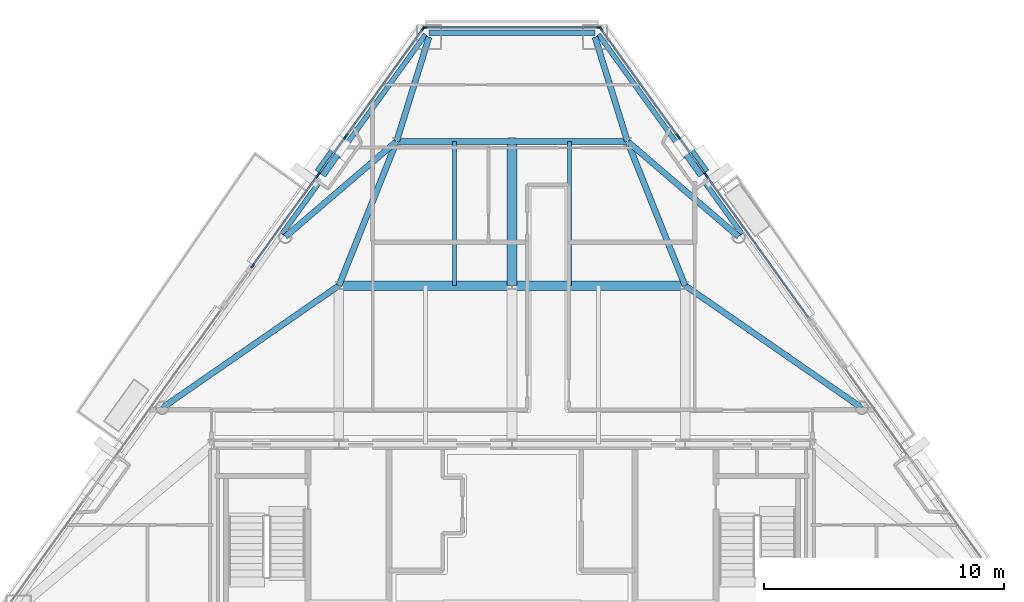
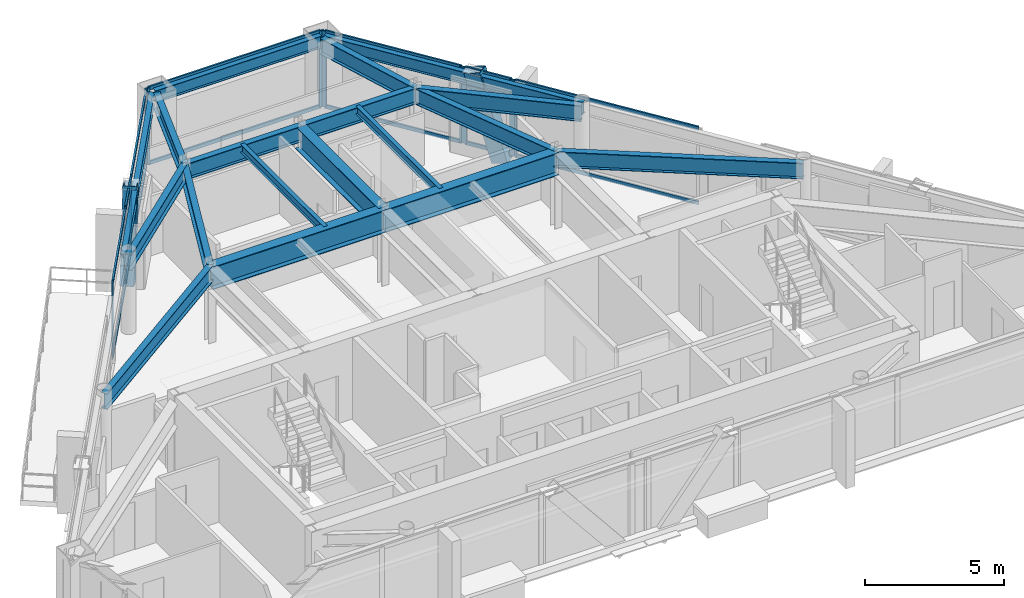
# One storey, part 4 of 12: 29 members, 18 beams, 7 elements without a shape of their own.
"""IFC4 building model written with IfcOpenShell, lengths in metres."""

from ifc_helpers import new_model, si_unit, direction, frame, origin, origin_2d, place, context, subcontext, project, spatial, rectangle, hollow_rectangle, i_section, extrude, material, layer, layer_set, material_profile, profile_set, type_object, element, aggregate, save


model = new_model("IFC4")

# Units and contexts
model_context = context("Model", 3, precision=1e-05, world=origin(), true_north=direction((0.0, 1.0)))
body_context = subcontext(model_context, "Body", "Model", "MODEL_VIEW")
ifc_project = project(units=[si_unit("LENGTHUNIT", "METRE"), si_unit("AREAUNIT", "SQUARE_METRE"), si_unit("VOLUMEUNIT", "CUBIC_METRE"), si_unit("PLANEANGLEUNIT", "RADIAN"), si_unit("MASSUNIT", "GRAM", prefix="KILO")], contexts=[model_context])

# Site, building, storey
site_placement = place(None, origin())
site = spatial("IfcSite", under=ifc_project, at=site_placement, CompositionType="ELEMENT")
building_placement = place(site_placement, origin())
building = spatial("IfcBuilding", under=site, at=building_placement, Name="Talgorran Terracotta Tower", CompositionType="ELEMENT")
storey_placement = place(building_placement, frame((0.0, 0.0, 189.300048828125)))
storey = spatial("IfcBuildingStorey", under=building, at=storey_placement, Name="L49", CompositionType="ELEMENT", Elevation=189.300048828125)

# Beams
ifc_material_1 = material(Name="Steel Grade 350 (350L0)", Category="steel")
ifc_material_profile_1 = material_profile(ifc_material_1, i_section(OverallWidth=0.39990234375, OverallDepth=1.0, WebThickness=0.01611328125, FlangeThickness=0.031005859375, at=origin_2d()), Name="1000WB296")
ifc_profile_set_1 = profile_set([ifc_material_profile_1], Name="Steel Grade 350 (350L0)")
beam_type_1 = type_object("IfcBeamType", Name="BM_1000WB296", PredefinedType="BEAM", material=ifc_profile_set_1)
for number, where, z_axis, x_axis, name in (
    (1, (-7.199951171875, 2.39990234375, 2.849853515625), (1.0, 0.0, 0.0), (0.0, 1.0, 0.0), "L49 Floor Girder G04"),
    (2, (0.0, 2.39990234375, 2.849853515625), (1.0, 0.0, 0.0), (0.0, 1.0, 0.0), "L49 Floor Girder G05"),
):
    element("IfcBeam", number, at=place(storey_placement, frame(where, z_axis=z_axis, x_axis=x_axis)), inside=storey, type_object=beam_type_1, Name=name, PredefinedType="BEAM", context=body_context, shape_type="SweptSolid", body=[
        extrude(i_section(OverallWidth=0.39990234375, OverallDepth=1.0, WebThickness=0.01611328125, FlangeThickness=0.031005859375, at=origin_2d()), origin(), (0.0, 0.0, 1.0), 7.199951171875),
    ])
beam_1_placement = place(storey_placement, frame((0.0, 2.39990234375, 2.849853515625), z_axis=(0.0, 1.0, 0.0), x_axis=(-1.0, 0.0, 0.0)))
element("IfcBeam", 3, at=beam_1_placement, inside=storey, type_object=beam_type_1, Name="L49 Floor Girder G09", PredefinedType="BEAM", context=body_context, shape_type="SweptSolid", body=[
    extrude(i_section(OverallWidth=0.39990234375, OverallDepth=1.0, WebThickness=0.01611328125, FlangeThickness=0.031005859375, at=origin_2d()), origin(), (0.0, 0.0, 1.0), 6.0),
])
ifc_material_2 = material(Name="Steel S355 (300PLUS)", Category="steel")
ifc_material_profile_2 = material_profile(ifc_material_2, i_section(OverallWidth=0.25, OverallDepth=0.699951171875, WebThickness=0.011962890625, FlangeThickness=0.02392578125, at=origin_2d()), Name="700WB150")
ifc_profile_set_2 = profile_set([ifc_material_profile_2], Name="Steel S355 (300PLUS)")
beam_type_2 = type_object("IfcBeamType", Name="BM_700WB150", PredefinedType="BEAM", material=ifc_profile_set_2)
for number, where, z_axis, x_axis, name in (
    (4, (-7.199951171875, 2.39990234375, 3.0), (-0.822270856927, -0.569096334419, 0.0), (0.569096334419, -0.822270856927, 0.0), "L49 Floor Girder G06"),
    (5, (7.199951171875, 2.39990234375, 3.0), (0.822270856927, -0.569096334419, 0.0), (0.569096334419, 0.822270856927, 0.0), "L49 Floor Girder G07"),
):
    element("IfcBeam", number, at=place(storey_placement, frame(where, z_axis=z_axis, x_axis=x_axis)), inside=storey, type_object=beam_type_2, Name=name, PredefinedType="BEAM", context=body_context, shape_type="SweptSolid", body=[
        extrude(i_section(OverallWidth=0.25, OverallDepth=0.699951171875, WebThickness=0.011962890625, FlangeThickness=0.02392578125, at=origin_2d()), origin(), (0.0, 0.0, 1.0), 8.937255859375),
    ])
for number, where, z_axis, x_axis, name in (
    (6, (-7.199951171875, 2.39990234375, 3.0), (0.371377648723, 0.928481901832, 0.0), (-0.928481901832, 0.371377648723, 0.0), "L49 Floor Girder G08"),
    (7, (7.199951171875, 2.39990234375, 3.0), (-0.371377648723, 0.928481901832, 0.0), (-0.928481901832, -0.371377648723, 0.0), "L49 Floor Girder G10"),
):
    element("IfcBeam", number, at=place(storey_placement, frame(where, z_axis=z_axis, x_axis=x_axis)), inside=storey, type_object=beam_type_2, Name=name, PredefinedType="BEAM", context=body_context, shape_type="SweptSolid", body=[
        extrude(i_section(OverallWidth=0.25, OverallDepth=0.699951171875, WebThickness=0.011962890625, FlangeThickness=0.02392578125, at=origin_2d()), origin(), (0.0, 0.0, 1.0), 6.462158203125),
    ])
for number, where, z_axis, x_axis, name in (
    (8, (-4.800048828125, 8.39990234375, 3.0), (1.0, 0.0, 0.0), (0.0, 1.0, 0.0), "L49 Floor Girder G11"),
    (9, (0.0, 8.39990234375, 3.0), (1.0, 0.0, 0.0), (0.0, 1.0, 0.0), "L49 Floor Girder G12"),
):
    element("IfcBeam", number, at=place(storey_placement, frame(where, z_axis=z_axis, x_axis=x_axis)), inside=storey, type_object=beam_type_2, Name=name, PredefinedType="BEAM", context=body_context, shape_type="SweptSolid", body=[
        extrude(i_section(OverallWidth=0.25, OverallDepth=0.699951171875, WebThickness=0.011962890625, FlangeThickness=0.02392578125, at=origin_2d()), origin(), (0.0, 0.0, 1.0), 4.800048828125),
    ])
for number, where, z_axis, x_axis, name in (
    (10, (-4.800048828125, 8.39990234375, 3.0), (-0.75920570373, -0.650850750499, 0.0), (0.650850750499, -0.75920570373, 0.0), "L49 Floor Girder G13"),
    (11, (4.800048828125, 8.39990234375, 3.0), (0.75920570373, -0.650850750499, 0.0), (0.650850750499, 0.75920570373, 0.0), "L49 Floor Girder G14"),
):
    element("IfcBeam", number, at=place(storey_placement, frame(where, z_axis=z_axis, x_axis=x_axis)), inside=storey, type_object=beam_type_2, Name=name, PredefinedType="BEAM", context=body_context, shape_type="SweptSolid", body=[
        extrude(i_section(OverallWidth=0.25, OverallDepth=0.699951171875, WebThickness=0.011962890625, FlangeThickness=0.02392578125, at=origin_2d()), origin(), (0.0, 0.0, 1.0), 6.0947265625),
    ])
for number, where, z_axis, x_axis, name in (
    (12, (-4.800048828125, 8.39990234375, 3.0), (0.296671316766, 0.954979648898, 0.0), (-0.954979648898, 0.296671316766, 0.0), "L49 Floor Girder G15"),
    (13, (4.800048828125, 8.39990234375, 3.0), (-0.296671316766, 0.954979648898, 0.0), (-0.954979648898, -0.296671316766, 0.0), "L49 Floor Girder G16"),
):
    element("IfcBeam", number, at=place(storey_placement, frame(where, z_axis=z_axis, x_axis=x_axis)), inside=storey, type_object=beam_type_2, Name=name, PredefinedType="BEAM", context=body_context, shape_type="SweptSolid", body=[
        extrude(i_section(OverallWidth=0.25, OverallDepth=0.699951171875, WebThickness=0.011962890625, FlangeThickness=0.02392578125, at=origin_2d()), origin(), (0.0, 0.0, 1.0), 4.54345703125),
    ])
ifc_material_profile_3 = material_profile(ifc_material_2, i_section(OverallWidth=0.17138671875, OverallDepth=0.355712890625, WebThickness=0.00732421875, FlangeThickness=0.011474609375, at=origin_2d()), Name="360UB50.7")
ifc_profile_set_3 = profile_set([ifc_material_profile_3], Name="Steel S355 (300PLUS)")
beam_type_3 = type_object("IfcBeamType", Name="BM_JS_360UB51", PredefinedType="JOIST", material=ifc_profile_set_3)
for number, where, z_axis, x_axis, name in (
    (14, (-2.39990234375, 2.39990234375, 3.172119140625), (0.0, 1.0, 0.0), (-1.0, 0.0, 0.0), "L49 Secondary Joist J03"),
    (15, (2.39990234375, 2.39990234375, 3.172119140625), (0.0, 1.0, 0.0), (-1.0, 0.0, 0.0), "L49 Secondary Joist J04"),
):
    element("IfcBeam", number, at=place(storey_placement, frame(where, z_axis=z_axis, x_axis=x_axis)), inside=storey, type_object=beam_type_3, Name=name, PredefinedType="JOIST", context=body_context, shape_type="SweptSolid", body=[
        extrude(i_section(OverallWidth=0.17138671875, OverallDepth=0.355712890625, WebThickness=0.00732421875, FlangeThickness=0.011474609375, at=origin_2d()), origin(), (0.0, 0.0, 1.0), 6.0),
    ])
ifc_material_profile_4 = material_profile(ifc_material_2, i_section(OverallWidth=0.209228515625, OverallDepth=0.532958984375, WebThickness=0.01025390625, FlangeThickness=0.015625, at=origin_2d()), Name="530UB92.4")
ifc_profile_set_4 = profile_set([ifc_material_profile_4], Name="Steel S355 (300PLUS)")
beam_type_4 = type_object("IfcBeamType", Name="BM_SP_530UB92", PredefinedType="SPANDREL", material=ifc_profile_set_4)
beam_2_placement = place(storey_placement, frame((9.573486328125, 4.5380859375, 3.08349609375), z_axis=(-0.583988509517, 0.811761923689, 0.0), x_axis=(-0.811761923689, -0.583988509517, 0.0)))
element("IfcBeam", 16, at=beam_2_placement, inside=storey, type_object=beam_type_4, Name="L49 Perimeter Spandrel Beam FC4-MC5", PredefinedType="SPANDREL", context=body_context, shape_type="SweptSolid", body=[
    extrude(i_section(OverallWidth=0.209228515625, OverallDepth=0.532958984375, WebThickness=0.01025390625, FlangeThickness=0.015625, at=origin_2d()), origin(), (0.0, 0.0, 1.0), 10.23193359375),
])
beam_3_placement = place(storey_placement, frame((3.4521484375, 12.918701171875, 3.08349609375), z_axis=(-1.0, 0.0, 0.0), x_axis=(0.0, -1.0, 0.0)))
element("IfcBeam", 17, at=beam_3_placement, inside=storey, type_object=beam_type_4, Name="L49 Perimeter Spandrel Beam MC5-MC6", PredefinedType="SPANDREL", context=body_context, shape_type="SweptSolid", body=[
    extrude(i_section(OverallWidth=0.209228515625, OverallDepth=0.532958984375, WebThickness=0.01025390625, FlangeThickness=0.015625, at=origin_2d()), origin(), (0.0, 0.0, 1.0), 6.904296875),
])
beam_4_placement = place(storey_placement, frame((-3.59814453125, 12.843994140625, 3.08349609375), z_axis=(-0.583988509517, -0.811761923689, 0.0), x_axis=(0.811761923689, -0.583988509517, 0.0)))
element("IfcBeam", 18, at=beam_4_placement, inside=storey, type_object=beam_type_4, Name="L49 Perimeter Spandrel Beam MC6-FC5", PredefinedType="SPANDREL", context=body_context, shape_type="SweptSolid", body=[
    extrude(i_section(OverallWidth=0.209228515625, OverallDepth=0.532958984375, WebThickness=0.01025390625, FlangeThickness=0.015625, at=origin_2d()), origin(), (0.0, 0.0, 1.0), 10.23193359375),
])

# Members
ifc_material_profile_5 = material_profile(ifc_material_1, hollow_rectangle(XDim=0.52001953125, YDim=0.659912109375, WallThickness=0.034912109375, at=origin_2d()), Name="WBOX660X520X35")
ifc_profile_set_5 = profile_set([ifc_material_profile_5], Name="Steel Grade 350 (350L0)")
member_type_1 = type_object("IfcMemberType", Name="MB_MEGA_660", PredefinedType="BRACE", material=ifc_profile_set_5)
for number, where, z_axis, x_axis, name in (
    (19, (7.7958984375, 7.31689453125, -0.27001953125), (-0.168412736, 0.234148857248, 0.957502722191), (-0.81182103348, -0.583906336324, 0.0), "L49 Exterior Face Mega-Brace MB-3 (NEU)"),
    (20, (-7.7958984375, 7.31689453125, -0.27001953125), (0.168412736, 0.234148857248, 0.957502722191), (-0.81182103348, 0.583906336324, 0.0), "L49 Exterior Face Mega-Brace MB-3 (NWU)"),
):
    element("IfcMember", number, at=place(storey_placement, frame(where, z_axis=z_axis, x_axis=x_axis)), inside=storey, type_object=member_type_1, Name=name, PredefinedType="BRACE", context=body_context, shape_type="SweptSolid", body=[
        extrude(hollow_rectangle(XDim=0.52001953125, YDim=0.659912109375, WallThickness=0.034912109375, at=origin_2d()), origin(), (0.0, 0.0, 1.0), 3.806884765625),
    ])

# Curtain wall, member
ifc_material_3 = material(Name="High-Wind Unitised Glazing", Category="glass")
ifc_layer = layer(ifc_material_3, 0.2099609375, Name="CW_SYS3_RES_HIGH")
ifc_layer_set = layer_set([ifc_layer], Name="High-Wind Unitised Glazing")
curtain_wall_type = type_object("IfcCurtainWallType", Name="CW_SYS3_RES_HIGH", PredefinedType="NOTDEFINED", material=ifc_layer_set)
curtain_wall_1_placement = place(storey_placement, origin())
curtain_wall_1 = element("IfcCurtainWall", 21, at=curtain_wall_1_placement, inside=storey, type_object=curtain_wall_type, Name="CW-L49-F41", PredefinedType="NOTDEFINED")
ifc_material_4 = material(Name="Architectural Aluminium 6063-T6", Category="aluminium")
ifc_material_profile_6 = material_profile(ifc_material_4, rectangle(XDim=0.070068359375, YDim=0.199951171875, at=origin_2d()), Name="CWM70X200")
ifc_profile_set_6 = profile_set([ifc_material_profile_6], Name="Architectural Aluminium 6063-T6")
member_type_2 = type_object("IfcMemberType", Name="MUL_70X200", PredefinedType="MULLION", material=ifc_profile_set_6)
member_1_placement = place(storey_placement, frame((8.09326171875, 6.972412109375, 0.0), z_axis=(0.0, 0.0, 1.0), x_axis=(-0.811765788921, -0.58398313669, 0.0)))
member_1 = element("IfcMember", 22, at=member_1_placement, type_object=member_type_2, Name="CW-L49-41 mullion 2", PredefinedType="MULLION", context=body_context, shape_type="SweptSolid", body=[
    extrude(rectangle(XDim=0.070068359375, YDim=0.199951171875, at=origin_2d()), origin(), (0.0, 0.0, 1.0), 3.349853515625),
])

# Curtain wall, members
curtain_wall_2_placement = place(storey_placement, origin())
curtain_wall_2 = element("IfcCurtainWall", 23, at=curtain_wall_2_placement, inside=storey, type_object=curtain_wall_type, Name="CW-L49-F41B", PredefinedType="NOTDEFINED")
member_2_placement = place(storey_placement, frame((8.04638671875, 7.037353515625, 0.0), z_axis=(0.0, 0.0, 1.0), x_axis=(-0.811784944481, -0.583956508581, 0.0)))
member_2 = element("IfcMember", 24, at=member_2_placement, type_object=member_type_2, Name="CW-L49-41B mullion 1", PredefinedType="MULLION", context=body_context, shape_type="SweptSolid", body=[
    extrude(rectangle(XDim=0.070068359375, YDim=0.199951171875, at=origin_2d()), origin(), (0.0, 0.0, 1.0), 3.349853515625),
])
member_3_placement = place(storey_placement, frame((6.9384765625, 8.577392578125, 0.0), z_axis=(0.0, 0.0, 1.0), x_axis=(-0.811784944481, -0.583956508581, 0.0)))
member_3 = element("IfcMember", 25, at=member_3_placement, type_object=member_type_2, Name="CW-L49-41B mullion 2", PredefinedType="MULLION", context=body_context, shape_type="SweptSolid", body=[
    extrude(rectangle(XDim=0.070068359375, YDim=0.199951171875, at=origin_2d()), origin(), (0.0, 0.0, 1.0), 3.349853515625),
])

curtain_wall_3_placement = place(storey_placement, origin())
curtain_wall_3 = element("IfcCurtainWall", 26, at=curtain_wall_3_placement, inside=storey, type_object=curtain_wall_type, Name="CW-L49-F41C", PredefinedType="NOTDEFINED")
member_4_placement = place(storey_placement, frame((6.891845703125, 8.642333984375, 0.0), z_axis=(0.0, 0.0, 1.0), x_axis=(-0.811761859986, -0.583988598067, 0.0)))
member_4 = element("IfcMember", 27, at=member_4_placement, type_object=member_type_2, Name="CW-L49-41C mullion 1", PredefinedType="MULLION", context=body_context, shape_type="SweptSolid", body=[
    extrude(rectangle(XDim=0.070068359375, YDim=0.199951171875, at=origin_2d()), origin(), (0.0, 0.0, 1.0), 3.349853515625),
])
member_5_placement = place(storey_placement, frame((3.700927734375, 13.077880859375, 0.0), z_axis=(0.0, 0.0, 1.0), x_axis=(-0.811761859986, -0.583988598067, 0.0)))
member_5 = element("IfcMember", 28, at=member_5_placement, type_object=member_type_2, Name="CW-L49-41C mullion 2", PredefinedType="MULLION", context=body_context, shape_type="SweptSolid", body=[
    extrude(rectangle(XDim=0.070068359375, YDim=0.199951171875, at=origin_2d()), origin(), (0.0, 0.0, 1.0), 3.349853515625),
])

curtain_wall_4_placement = place(storey_placement, origin())
curtain_wall_4 = element("IfcCurtainWall", 29, at=curtain_wall_4_placement, inside=storey, type_object=curtain_wall_type, Name="CW-L49-F4", PredefinedType="NOTDEFINED")
member_6_placement = place(storey_placement, frame((3.6220703125, 13.138916015625, 0.0), z_axis=(0.0, 0.0, 1.0), x_axis=(0.0, -1.0, 0.0)))
member_6 = element("IfcMember", 30, at=member_6_placement, type_object=member_type_2, Name="CW-L49-4 mullion 1", PredefinedType="MULLION", context=body_context, shape_type="SweptSolid", body=[
    extrude(rectangle(XDim=0.070068359375, YDim=0.199951171875, at=origin_2d()), origin(), (0.0, 0.0, 1.0), 3.349853515625),
])
member_7_placement = place(storey_placement, frame((-3.6220703125, 13.138916015625, 0.0), z_axis=(0.0, 0.0, 1.0), x_axis=(0.0, -1.0, 0.0)))
member_7 = element("IfcMember", 31, at=member_7_placement, type_object=member_type_2, Name="CW-L49-4 mullion 2", PredefinedType="MULLION", context=body_context, shape_type="SweptSolid", body=[
    extrude(rectangle(XDim=0.070068359375, YDim=0.199951171875, at=origin_2d()), origin(), (0.0, 0.0, 1.0), 3.349853515625),
])

curtain_wall_5_placement = place(storey_placement, origin())
curtain_wall_5 = element("IfcCurtainWall", 32, at=curtain_wall_5_placement, inside=storey, type_object=curtain_wall_type, Name="CW-L49-F60", PredefinedType="NOTDEFINED")
member_8_placement = place(storey_placement, frame((-3.700927734375, 13.077880859375, 0.0), z_axis=(0.0, 0.0, 1.0), x_axis=(0.811761859986, -0.583988598067, 0.0)))
member_8 = element("IfcMember", 33, at=member_8_placement, type_object=member_type_2, Name="CW-L49-60 mullion 1", PredefinedType="MULLION", context=body_context, shape_type="SweptSolid", body=[
    extrude(rectangle(XDim=0.070068359375, YDim=0.199951171875, at=origin_2d()), origin(), (0.0, 0.0, 1.0), 3.349853515625),
])
member_9_placement = place(storey_placement, frame((-6.891845703125, 8.642333984375, 0.0), z_axis=(0.0, 0.0, 1.0), x_axis=(0.811761859986, -0.583988598067, 0.0)))
member_9 = element("IfcMember", 34, at=member_9_placement, type_object=member_type_2, Name="CW-L49-60 mullion 2", PredefinedType="MULLION", context=body_context, shape_type="SweptSolid", body=[
    extrude(rectangle(XDim=0.070068359375, YDim=0.199951171875, at=origin_2d()), origin(), (0.0, 0.0, 1.0), 3.349853515625),
])

curtain_wall_6_placement = place(storey_placement, origin())
curtain_wall_6 = element("IfcCurtainWall", 35, at=curtain_wall_6_placement, inside=storey, type_object=curtain_wall_type, Name="CW-L49-F60B", PredefinedType="NOTDEFINED")
member_10_placement = place(storey_placement, frame((-6.9384765625, 8.577392578125, 0.0), z_axis=(0.0, 0.0, 1.0), x_axis=(0.811760847796, -0.583990005039, 0.0)))
member_10 = element("IfcMember", 36, at=member_10_placement, type_object=member_type_2, Name="CW-L49-60B mullion 1", PredefinedType="MULLION", context=body_context, shape_type="SweptSolid", body=[
    extrude(rectangle(XDim=0.070068359375, YDim=0.199951171875, at=origin_2d()), origin(), (0.0, 0.0, 1.0), 3.349853515625),
])
member_11_placement = place(storey_placement, frame((-8.046630859375, 7.037353515625, 0.0), z_axis=(0.0, 0.0, 1.0), x_axis=(0.811760847796, -0.583990005039, 0.0)))
member_11 = element("IfcMember", 37, at=member_11_placement, type_object=member_type_2, Name="CW-L49-60B mullion 2", PredefinedType="MULLION", context=body_context, shape_type="SweptSolid", body=[
    extrude(rectangle(XDim=0.070068359375, YDim=0.199951171875, at=origin_2d()), origin(), (0.0, 0.0, 1.0), 3.349853515625),
])

curtain_wall_7_placement = place(storey_placement, origin())
curtain_wall_7 = element("IfcCurtainWall", 38, at=curtain_wall_7_placement, inside=storey, type_object=curtain_wall_type, Name="CW-L49-F60C", PredefinedType="NOTDEFINED")
member_12_placement = place(storey_placement, frame((-8.09326171875, 6.972412109375, 0.0), z_axis=(0.0, 0.0, 1.0), x_axis=(0.811761938866, -0.583988488421, 0.0)))
member_12 = element("IfcMember", 39, at=member_12_placement, type_object=member_type_2, Name="CW-L49-60C mullion 1", PredefinedType="MULLION", context=body_context, shape_type="SweptSolid", body=[
    extrude(rectangle(XDim=0.070068359375, YDim=0.199951171875, at=origin_2d()), origin(), (0.0, 0.0, 1.0), 3.349853515625),
])
member_13_placement = place(storey_placement, frame((-10.786865234375, 3.228271484375, 0.0), z_axis=(0.0, 0.0, 1.0), x_axis=(0.811761938866, -0.583988488421, 0.0)))
member_13 = element("IfcMember", 40, at=member_13_placement, type_object=member_type_2, Name="CW-L49-60C mullion 2", PredefinedType="MULLION", context=body_context, shape_type="SweptSolid", body=[
    extrude(rectangle(XDim=0.070068359375, YDim=0.199951171875, at=origin_2d()), origin(), (0.0, 0.0, 1.0), 3.349853515625),
])

# Member
ifc_material_profile_7 = material_profile(ifc_material_4, rectangle(XDim=0.070068359375, YDim=0.159912109375, at=origin_2d()), Name="CWT70X160")
ifc_profile_set_7 = profile_set([ifc_material_profile_7], Name="Architectural Aluminium 6063-T6")
member_type_3 = type_object("IfcMemberType", Name="TRN_70X160", PredefinedType="USERDEFINED", material=ifc_profile_set_7)
member_14_placement = place(storey_placement, frame((12.347412109375, 1.058837890625, 0.034912109375), z_axis=(-0.583964904517, 0.811778904809, 0.0), x_axis=(-0.811778904809, -0.583964904517, 0.0)))
member_14 = element("IfcMember", 41, at=member_14_placement, type_object=member_type_3, Name="CW-L49-41 transom 1.1", ObjectType="TRANSOM", PredefinedType="USERDEFINED", context=body_context, shape_type="SweptSolid", body=[
    extrude(rectangle(XDim=0.070068359375, YDim=0.159912109375, at=origin_2d()), origin(), (0.0, 0.0, 1.0), 7.249755859375),
])

member_15_placement = place(storey_placement, frame((12.347412109375, 1.058837890625, 3.31494140625), z_axis=(-0.583964904517, 0.811778904809, 0.0), x_axis=(-0.811778904809, -0.583964904517, 0.0)))
member_15 = element("IfcMember", 42, at=member_15_placement, type_object=member_type_3, Name="CW-L49-41 transom 1.2", ObjectType="TRANSOM", PredefinedType="USERDEFINED", context=body_context, shape_type="SweptSolid", body=[
    extrude(rectangle(XDim=0.070068359375, YDim=0.159912109375, at=origin_2d()), origin(), (0.0, 0.0, 1.0), 7.249755859375),
])

aggregate(curtain_wall_1, [member_1, member_14, member_15])

member_16_placement = place(storey_placement, frame((8.026123046875, 7.065673828125, 0.034912109375), z_axis=(-0.583977358766, 0.811769945519, 0.0), x_axis=(-0.811769945519, -0.583977358766, 0.0)))
member_16 = element("IfcMember", 43, at=member_16_placement, type_object=member_type_3, Name="CW-L49-41B transom 1.1", ObjectType="TRANSOM", PredefinedType="USERDEFINED", context=body_context, shape_type="SweptSolid", body=[
    extrude(rectangle(XDim=0.070068359375, YDim=0.159912109375, at=origin_2d()), origin(), (0.0, 0.0, 1.0), 1.827392578125),
])

member_17_placement = place(storey_placement, frame((8.026123046875, 7.065673828125, 3.31494140625), z_axis=(-0.583977358766, 0.811769945519, 0.0), x_axis=(-0.811769945519, -0.583977358766, 0.0)))
member_17 = element("IfcMember", 44, at=member_17_placement, type_object=member_type_3, Name="CW-L49-41B transom 1.2", ObjectType="TRANSOM", PredefinedType="USERDEFINED", context=body_context, shape_type="SweptSolid", body=[
    extrude(rectangle(XDim=0.070068359375, YDim=0.159912109375, at=origin_2d()), origin(), (0.0, 0.0, 1.0), 1.827392578125),
])

aggregate(curtain_wall_2, [member_2, member_3, member_16, member_17])

member_18_placement = place(storey_placement, frame((6.871337890625, 8.6708984375, 0.034912109375), z_axis=(-0.583970815212, 0.811774652832, 0.0), x_axis=(-0.811774652832, -0.583970815212, 0.0)))
member_18 = element("IfcMember", 45, at=member_18_placement, type_object=member_type_3, Name="CW-L49-41C transom 1.1", ObjectType="TRANSOM", PredefinedType="USERDEFINED", context=body_context, shape_type="SweptSolid", body=[
    extrude(rectangle(XDim=0.070068359375, YDim=0.159912109375, at=origin_2d()), origin(), (0.0, 0.0, 1.0), 5.39404296875),
])

member_19_placement = place(storey_placement, frame((6.871337890625, 8.6708984375, 3.31494140625), z_axis=(-0.583970815212, 0.811774652832, 0.0), x_axis=(-0.811774652832, -0.583970815212, 0.0)))
member_19 = element("IfcMember", 46, at=member_19_placement, type_object=member_type_3, Name="CW-L49-41C transom 1.2", ObjectType="TRANSOM", PredefinedType="USERDEFINED", context=body_context, shape_type="SweptSolid", body=[
    extrude(rectangle(XDim=0.070068359375, YDim=0.159912109375, at=origin_2d()), origin(), (0.0, 0.0, 1.0), 5.39404296875),
])

aggregate(curtain_wall_3, [member_4, member_5, member_18, member_19])

member_20_placement = place(storey_placement, frame((3.587158203125, 13.138916015625, 0.034912109375), z_axis=(-1.0, 0.0, 0.0), x_axis=(0.0, -1.0, 0.0)))
member_20 = element("IfcMember", 47, at=member_20_placement, type_object=member_type_3, Name="CW-L49-4 transom 1.1", ObjectType="TRANSOM", PredefinedType="USERDEFINED", context=body_context, shape_type="SweptSolid", body=[
    extrude(rectangle(XDim=0.070068359375, YDim=0.159912109375, at=origin_2d()), origin(), (0.0, 0.0, 1.0), 7.17431640625),
])

member_21_placement = place(storey_placement, frame((3.587158203125, 13.138916015625, 3.31494140625), z_axis=(-1.0, 0.0, 0.0), x_axis=(0.0, -1.0, 0.0)))
member_21 = element("IfcMember", 48, at=member_21_placement, type_object=member_type_3, Name="CW-L49-4 transom 1.2", ObjectType="TRANSOM", PredefinedType="USERDEFINED", context=body_context, shape_type="SweptSolid", body=[
    extrude(rectangle(XDim=0.070068359375, YDim=0.159912109375, at=origin_2d()), origin(), (0.0, 0.0, 1.0), 7.17431640625),
])

aggregate(curtain_wall_4, [member_6, member_7, member_20, member_21])

member_22_placement = place(storey_placement, frame((-3.721435546875, 13.049560546875, 0.034912109375), z_axis=(-0.583970815212, -0.811774652832, 0.0), x_axis=(0.811774652832, -0.583970815212, 0.0)))
member_22 = element("IfcMember", 49, at=member_22_placement, type_object=member_type_3, Name="CW-L49-60 transom 1.1", ObjectType="TRANSOM", PredefinedType="USERDEFINED", context=body_context, shape_type="SweptSolid", body=[
    extrude(rectangle(XDim=0.070068359375, YDim=0.159912109375, at=origin_2d()), origin(), (0.0, 0.0, 1.0), 5.39404296875),
])

member_23_placement = place(storey_placement, frame((-3.721435546875, 13.049560546875, 3.31494140625), z_axis=(-0.583970815212, -0.811774652832, 0.0), x_axis=(0.811774652832, -0.583970815212, 0.0)))
member_23 = element("IfcMember", 50, at=member_23_placement, type_object=member_type_3, Name="CW-L49-60 transom 1.2", ObjectType="TRANSOM", PredefinedType="USERDEFINED", context=body_context, shape_type="SweptSolid", body=[
    extrude(rectangle(XDim=0.070068359375, YDim=0.159912109375, at=origin_2d()), origin(), (0.0, 0.0, 1.0), 5.39404296875),
])

aggregate(curtain_wall_5, [member_8, member_9, member_22, member_23])

member_24_placement = place(storey_placement, frame((-6.958984375, 8.549072265625, 0.034912109375), z_axis=(-0.583977358766, -0.811769945519, 0.0), x_axis=(0.811769945519, -0.583977358766, 0.0)))
member_24 = element("IfcMember", 51, at=member_24_placement, type_object=member_type_3, Name="CW-L49-60B transom 1.1", ObjectType="TRANSOM", PredefinedType="USERDEFINED", context=body_context, shape_type="SweptSolid", body=[
    extrude(rectangle(XDim=0.070068359375, YDim=0.159912109375, at=origin_2d()), origin(), (0.0, 0.0, 1.0), 1.827392578125),
])

member_25_placement = place(storey_placement, frame((-6.958984375, 8.549072265625, 3.31494140625), z_axis=(-0.583977358766, -0.811769945519, 0.0), x_axis=(0.811769945519, -0.583977358766, 0.0)))
member_25 = element("IfcMember", 52, at=member_25_placement, type_object=member_type_3, Name="CW-L49-60B transom 1.2", ObjectType="TRANSOM", PredefinedType="USERDEFINED", context=body_context, shape_type="SweptSolid", body=[
    extrude(rectangle(XDim=0.070068359375, YDim=0.159912109375, at=origin_2d()), origin(), (0.0, 0.0, 1.0), 1.827392578125),
])

aggregate(curtain_wall_6, [member_10, member_11, member_24, member_25])

member_26_placement = place(storey_placement, frame((-8.11376953125, 6.944091796875, 0.034912109375), z_axis=(-0.583980430806, -0.811767735523, 0.0), x_axis=(0.811767735523, -0.583980430806, 0.0)))
member_26 = element("IfcMember", 53, at=member_26_placement, type_object=member_type_3, Name="CW-L49-60C transom 1.1", ObjectType="TRANSOM", PredefinedType="USERDEFINED", context=body_context, shape_type="SweptSolid", body=[
    extrude(rectangle(XDim=0.070068359375, YDim=0.159912109375, at=origin_2d()), origin(), (0.0, 0.0, 1.0), 4.542236328125),
])

member_27_placement = place(storey_placement, frame((-8.11376953125, 6.944091796875, 3.31494140625), z_axis=(-0.583980430806, -0.811767735523, 0.0), x_axis=(0.811767735523, -0.583980430806, 0.0)))
member_27 = element("IfcMember", 54, at=member_27_placement, type_object=member_type_3, Name="CW-L49-60C transom 1.2", ObjectType="TRANSOM", PredefinedType="USERDEFINED", context=body_context, shape_type="SweptSolid", body=[
    extrude(rectangle(XDim=0.070068359375, YDim=0.159912109375, at=origin_2d()), origin(), (0.0, 0.0, 1.0), 4.542236328125),
])

aggregate(curtain_wall_7, [member_12, member_13, member_26, member_27])

save(model, "model.ifc")
